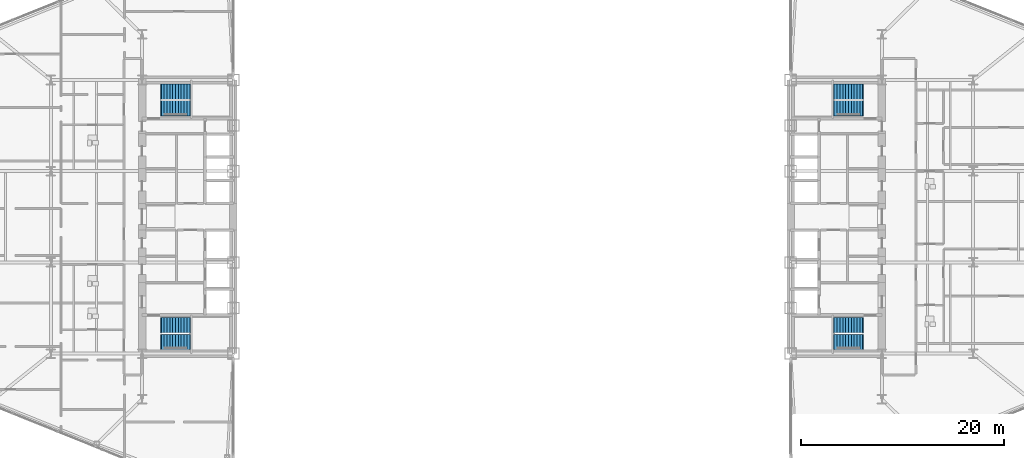
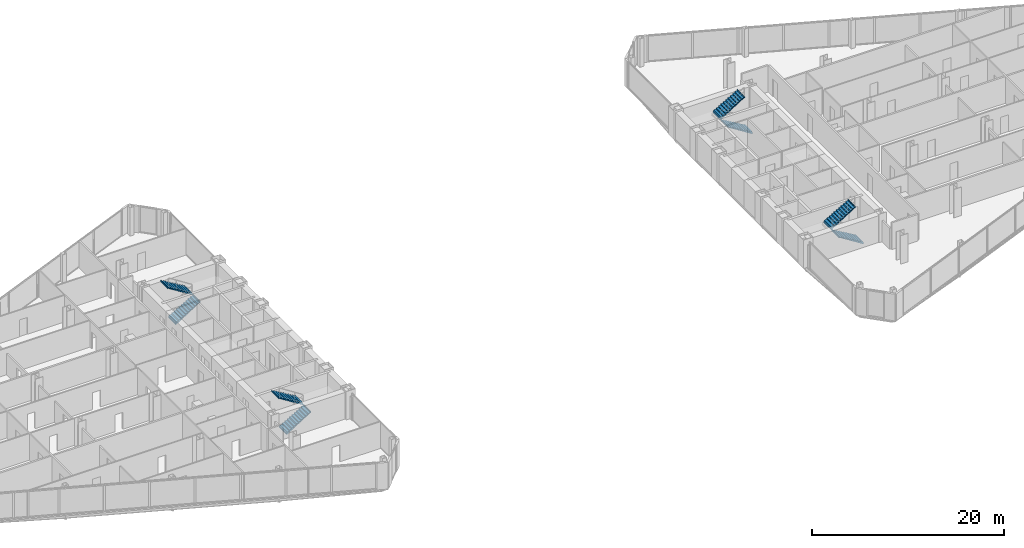
# One storey, part 23 of 25: 8 stair flights, 4 elements without a shape of their own.
"""IFC4 building model written with IfcOpenShell, lengths in metres."""

from ifc_helpers import new_model, si_unit, direction, frame, origin, place, context, subcontext, project, spatial, polyline, outline, extrude, material, type_object, element, aggregate, save


model = new_model("IFC4")

# Units and contexts
model_context = context("Model", 3, precision=1e-05, world=origin(), true_north=direction((0.0, 1.0)))
body_context = subcontext(model_context, "Body", "Model", "MODEL_VIEW")
ifc_project = project(units=[si_unit("LENGTHUNIT", "METRE"), si_unit("AREAUNIT", "SQUARE_METRE"), si_unit("VOLUMEUNIT", "CUBIC_METRE"), si_unit("PLANEANGLEUNIT", "RADIAN"), si_unit("MASSUNIT", "GRAM", prefix="KILO")], contexts=[model_context])

# Site, building, storey
site_placement = place(None, origin())
site = spatial("IfcSite", under=ifc_project, at=site_placement, CompositionType="ELEMENT")
building_placement = place(site_placement, origin())
building = spatial("IfcBuilding", under=site, at=building_placement, Name="Seokmaru Belvedere", CompositionType="ELEMENT")
storey_placement = place(building_placement, frame((0.0, 0.0, 51.300048828125)))
storey = spatial("IfcBuildingStorey", under=building, at=storey_placement, Name="L13", CompositionType="ELEMENT", Elevation=51.300048828125)

# Stair, stair flights
ifc_material = material(Name="Concrete C40 (40 MPa)", Category="concrete")
stair_type = type_object("IfcStairType", Name="Typical Tower Core Dog-Leg Stair 3600", PredefinedType="TWO_STRAIGHT_RUN_STAIR", material=ifc_material)
stair_1_placement = place(storey_placement, origin())
stair_1 = element("IfcStair", 1, at=stair_1_placement, inside=storey, type_object=stair_type, Name="L13 Special Escape Stair ST-W1", PredefinedType="TWO_STRAIGHT_RUN_STAIR")
stair_flight_type = type_object("IfcStairFlightType", Name="Reinforced Concrete Stair Flight 1500", PredefinedType="STRAIGHT", material=ifc_material)
stair_flight_1_placement = place(storey_placement, frame((-34.60009765625, -12.35009765625, 0.0), z_axis=(0.0, 0.0, 1.0), x_axis=(1.0, 0.0, 0.0)))
stair_flight_1 = element("IfcStairFlight", 2, at=stair_flight_1_placement, type_object=stair_flight_type, Name="ST-W1 flight 1", NumberOfRisers=11, NumberOfTreads=10, PredefinedType="STRAIGHT", RiserHeight=0.163636364, TreadLength=0.28, context=body_context, shape_type="SweptSolid", body=[
    extrude(outline(polyline([(-0.080078125, 0.0), (0.0, 0.16357421875), (0.280029296875, 0.16357421875), (0.280029296875, 0.327392578125), (0.56005859375, 0.327392578125), (0.56005859375, 0.490966796875), (0.840087890625, 0.490966796875), (0.840087890625, 0.654541015625), (1.1201171875, 0.654541015625), (1.1201171875, 0.818115234375), (1.39990234375, 0.818115234375), (1.39990234375, 0.98193359375), (1.679931640625, 0.98193359375), (1.679931640625, 1.1455078125), (1.9599609375, 1.1455078125), (1.9599609375, 1.30908203125), (2.239990234375, 1.30908203125), (2.239990234375, 1.47265625), (2.52001953125, 1.47265625), (2.52001953125, 1.636474609375), (2.800048828125, 1.636474609375), (2.800048828125, 1.800048828125), (2.8798828125, 1.800048828125), (2.8798828125, 1.610107421875), (2.800048828125, 1.610107421875), (0.0, -0.159912109375), (-0.080078125, -0.159912109375), (-0.080078125, 0.0)])), frame((0.0, 0.75, 0.0), z_axis=(0.0, -1.0, 0.0), x_axis=(1.0, 0.0, 0.0)), (0.0, 0.0, 1.0), 1.5),
])
stair_flight_2_placement = place(storey_placement, frame((-31.800048828125, -10.7099609375, 1.800048828125), z_axis=(0.0, 0.0, 1.0), x_axis=(-1.0, 0.0, 0.0)))
stair_flight_2 = element("IfcStairFlight", 3, at=stair_flight_2_placement, type_object=stair_flight_type, Name="ST-W1 flight 2", NumberOfRisers=11, NumberOfTreads=10, PredefinedType="STRAIGHT", RiserHeight=0.163636364, TreadLength=0.28, context=body_context, shape_type="SweptSolid", body=[
    extrude(outline(polyline([(-0.080078125, 0.0), (0.0, 0.16357421875), (0.280029296875, 0.16357421875), (0.280029296875, 0.327392578125), (0.56005859375, 0.327392578125), (0.56005859375, 0.490966796875), (0.840087890625, 0.490966796875), (0.840087890625, 0.654541015625), (1.1201171875, 0.654541015625), (1.1201171875, 0.818115234375), (1.39990234375, 0.818115234375), (1.39990234375, 0.98193359375), (1.679931640625, 0.98193359375), (1.679931640625, 1.1455078125), (1.9599609375, 1.1455078125), (1.9599609375, 1.30908203125), (2.239990234375, 1.30908203125), (2.239990234375, 1.47265625), (2.52001953125, 1.47265625), (2.52001953125, 1.636474609375), (2.800048828125, 1.636474609375), (2.800048828125, 1.800048828125), (2.8798828125, 1.800048828125), (2.8798828125, 1.610107421875), (2.800048828125, 1.610107421875), (0.0, -0.159912109375), (-0.080078125, -0.159912109375), (-0.080078125, 0.0)])), frame((0.0, 0.75, 0.0), z_axis=(0.0, -1.0, 0.0), x_axis=(1.0, 0.0, 0.0)), (0.0, 0.0, 1.0), 1.5),
])
aggregate(stair_1, [stair_flight_1, stair_flight_2])

stair_2_placement = place(storey_placement, origin())
stair_2 = element("IfcStair", 4, at=stair_2_placement, inside=storey, type_object=stair_type, Name="L13 Special Escape Stair ST-W2", PredefinedType="TWO_STRAIGHT_RUN_STAIR")
stair_flight_3_placement = place(storey_placement, frame((-34.60009765625, 10.7099609375, 0.0), z_axis=(0.0, 0.0, 1.0), x_axis=(1.0, 0.0, 0.0)))
stair_flight_3 = element("IfcStairFlight", 5, at=stair_flight_3_placement, type_object=stair_flight_type, Name="ST-W2 flight 1", NumberOfRisers=11, NumberOfTreads=10, PredefinedType="STRAIGHT", RiserHeight=0.163636364, TreadLength=0.28, context=body_context, shape_type="SweptSolid", body=[
    extrude(outline(polyline([(-0.080078125, 0.0), (0.0, 0.16357421875), (0.280029296875, 0.16357421875), (0.280029296875, 0.327392578125), (0.56005859375, 0.327392578125), (0.56005859375, 0.490966796875), (0.840087890625, 0.490966796875), (0.840087890625, 0.654541015625), (1.1201171875, 0.654541015625), (1.1201171875, 0.818115234375), (1.39990234375, 0.818115234375), (1.39990234375, 0.98193359375), (1.679931640625, 0.98193359375), (1.679931640625, 1.1455078125), (1.9599609375, 1.1455078125), (1.9599609375, 1.30908203125), (2.239990234375, 1.30908203125), (2.239990234375, 1.47265625), (2.52001953125, 1.47265625), (2.52001953125, 1.636474609375), (2.800048828125, 1.636474609375), (2.800048828125, 1.800048828125), (2.8798828125, 1.800048828125), (2.8798828125, 1.610107421875), (2.800048828125, 1.610107421875), (0.0, -0.159912109375), (-0.080078125, -0.159912109375), (-0.080078125, 0.0)])), frame((0.0, 0.75, 0.0), z_axis=(0.0, -1.0, 0.0), x_axis=(1.0, 0.0, 0.0)), (0.0, 0.0, 1.0), 1.5),
])
stair_flight_4_placement = place(storey_placement, frame((-31.800048828125, 12.35009765625, 1.800048828125), z_axis=(0.0, 0.0, 1.0), x_axis=(-1.0, 0.0, 0.0)))
stair_flight_4 = element("IfcStairFlight", 6, at=stair_flight_4_placement, type_object=stair_flight_type, Name="ST-W2 flight 2", NumberOfRisers=11, NumberOfTreads=10, PredefinedType="STRAIGHT", RiserHeight=0.163636364, TreadLength=0.28, context=body_context, shape_type="SweptSolid", body=[
    extrude(outline(polyline([(-0.080078125, 0.0), (0.0, 0.16357421875), (0.280029296875, 0.16357421875), (0.280029296875, 0.327392578125), (0.56005859375, 0.327392578125), (0.56005859375, 0.490966796875), (0.840087890625, 0.490966796875), (0.840087890625, 0.654541015625), (1.1201171875, 0.654541015625), (1.1201171875, 0.818115234375), (1.39990234375, 0.818115234375), (1.39990234375, 0.98193359375), (1.679931640625, 0.98193359375), (1.679931640625, 1.1455078125), (1.9599609375, 1.1455078125), (1.9599609375, 1.30908203125), (2.239990234375, 1.30908203125), (2.239990234375, 1.47265625), (2.52001953125, 1.47265625), (2.52001953125, 1.636474609375), (2.800048828125, 1.636474609375), (2.800048828125, 1.800048828125), (2.8798828125, 1.800048828125), (2.8798828125, 1.610107421875), (2.800048828125, 1.610107421875), (0.0, -0.159912109375), (-0.080078125, -0.159912109375), (-0.080078125, 0.0)])), frame((0.0, 0.75, 0.0), z_axis=(0.0, -1.0, 0.0), x_axis=(1.0, 0.0, 0.0)), (0.0, 0.0, 1.0), 1.5),
])
aggregate(stair_2, [stair_flight_3, stair_flight_4])

stair_3_placement = place(storey_placement, origin())
stair_3 = element("IfcStair", 7, at=stair_3_placement, inside=storey, type_object=stair_type, Name="L13 Special Escape Stair ST-E1", PredefinedType="TWO_STRAIGHT_RUN_STAIR")
stair_flight_5_placement = place(storey_placement, frame((34.60009765625, -12.35009765625, 0.0), z_axis=(0.0, 0.0, 1.0), x_axis=(-1.0, 0.0, 0.0)))
stair_flight_5 = element("IfcStairFlight", 8, at=stair_flight_5_placement, type_object=stair_flight_type, Name="ST-E1 flight 1", NumberOfRisers=11, NumberOfTreads=10, PredefinedType="STRAIGHT", RiserHeight=0.163636364, TreadLength=0.28, context=body_context, shape_type="SweptSolid", body=[
    extrude(outline(polyline([(-0.080078125, 0.0), (0.0, 0.16357421875), (0.280029296875, 0.16357421875), (0.280029296875, 0.327392578125), (0.56005859375, 0.327392578125), (0.56005859375, 0.490966796875), (0.840087890625, 0.490966796875), (0.840087890625, 0.654541015625), (1.1201171875, 0.654541015625), (1.1201171875, 0.818115234375), (1.39990234375, 0.818115234375), (1.39990234375, 0.98193359375), (1.679931640625, 0.98193359375), (1.679931640625, 1.1455078125), (1.9599609375, 1.1455078125), (1.9599609375, 1.30908203125), (2.239990234375, 1.30908203125), (2.239990234375, 1.47265625), (2.52001953125, 1.47265625), (2.52001953125, 1.636474609375), (2.800048828125, 1.636474609375), (2.800048828125, 1.800048828125), (2.8798828125, 1.800048828125), (2.8798828125, 1.610107421875), (2.800048828125, 1.610107421875), (0.0, -0.159912109375), (-0.080078125, -0.159912109375), (-0.080078125, 0.0)])), frame((0.0, 0.75, 0.0), z_axis=(0.0, -1.0, 0.0), x_axis=(1.0, 0.0, 0.0)), (0.0, 0.0, 1.0), 1.5),
])
stair_flight_6_placement = place(storey_placement, frame((31.800048828125, -10.7099609375, 1.800048828125), z_axis=(0.0, 0.0, 1.0), x_axis=(1.0, 0.0, 0.0)))
stair_flight_6 = element("IfcStairFlight", 9, at=stair_flight_6_placement, type_object=stair_flight_type, Name="ST-E1 flight 2", NumberOfRisers=11, NumberOfTreads=10, PredefinedType="STRAIGHT", RiserHeight=0.163636364, TreadLength=0.28, context=body_context, shape_type="SweptSolid", body=[
    extrude(outline(polyline([(-0.080078125, 0.0), (0.0, 0.16357421875), (0.280029296875, 0.16357421875), (0.280029296875, 0.327392578125), (0.56005859375, 0.327392578125), (0.56005859375, 0.490966796875), (0.840087890625, 0.490966796875), (0.840087890625, 0.654541015625), (1.1201171875, 0.654541015625), (1.1201171875, 0.818115234375), (1.39990234375, 0.818115234375), (1.39990234375, 0.98193359375), (1.679931640625, 0.98193359375), (1.679931640625, 1.1455078125), (1.9599609375, 1.1455078125), (1.9599609375, 1.30908203125), (2.239990234375, 1.30908203125), (2.239990234375, 1.47265625), (2.52001953125, 1.47265625), (2.52001953125, 1.636474609375), (2.800048828125, 1.636474609375), (2.800048828125, 1.800048828125), (2.8798828125, 1.800048828125), (2.8798828125, 1.610107421875), (2.800048828125, 1.610107421875), (0.0, -0.159912109375), (-0.080078125, -0.159912109375), (-0.080078125, 0.0)])), frame((0.0, 0.75, 0.0), z_axis=(0.0, -1.0, 0.0), x_axis=(1.0, 0.0, 0.0)), (0.0, 0.0, 1.0), 1.5),
])
aggregate(stair_3, [stair_flight_5, stair_flight_6])

stair_4_placement = place(storey_placement, origin())
stair_4 = element("IfcStair", 10, at=stair_4_placement, inside=storey, type_object=stair_type, Name="L13 Special Escape Stair ST-E2", PredefinedType="TWO_STRAIGHT_RUN_STAIR")
stair_flight_7_placement = place(storey_placement, frame((34.60009765625, 10.7099609375, 0.0), z_axis=(0.0, 0.0, 1.0), x_axis=(-1.0, 0.0, 0.0)))
stair_flight_7 = element("IfcStairFlight", 11, at=stair_flight_7_placement, type_object=stair_flight_type, Name="ST-E2 flight 1", NumberOfRisers=11, NumberOfTreads=10, PredefinedType="STRAIGHT", RiserHeight=0.163636364, TreadLength=0.28, context=body_context, shape_type="SweptSolid", body=[
    extrude(outline(polyline([(-0.080078125, 0.0), (0.0, 0.16357421875), (0.280029296875, 0.16357421875), (0.280029296875, 0.327392578125), (0.56005859375, 0.327392578125), (0.56005859375, 0.490966796875), (0.840087890625, 0.490966796875), (0.840087890625, 0.654541015625), (1.1201171875, 0.654541015625), (1.1201171875, 0.818115234375), (1.39990234375, 0.818115234375), (1.39990234375, 0.98193359375), (1.679931640625, 0.98193359375), (1.679931640625, 1.1455078125), (1.9599609375, 1.1455078125), (1.9599609375, 1.30908203125), (2.239990234375, 1.30908203125), (2.239990234375, 1.47265625), (2.52001953125, 1.47265625), (2.52001953125, 1.636474609375), (2.800048828125, 1.636474609375), (2.800048828125, 1.800048828125), (2.8798828125, 1.800048828125), (2.8798828125, 1.610107421875), (2.800048828125, 1.610107421875), (0.0, -0.159912109375), (-0.080078125, -0.159912109375), (-0.080078125, 0.0)])), frame((0.0, 0.75, 0.0), z_axis=(0.0, -1.0, 0.0), x_axis=(1.0, 0.0, 0.0)), (0.0, 0.0, 1.0), 1.5),
])
stair_flight_8_placement = place(storey_placement, frame((31.800048828125, 12.35009765625, 1.800048828125), z_axis=(0.0, 0.0, 1.0), x_axis=(1.0, 0.0, 0.0)))
stair_flight_8 = element("IfcStairFlight", 12, at=stair_flight_8_placement, type_object=stair_flight_type, Name="ST-E2 flight 2", NumberOfRisers=11, NumberOfTreads=10, PredefinedType="STRAIGHT", RiserHeight=0.163636364, TreadLength=0.28, context=body_context, shape_type="SweptSolid", body=[
    extrude(outline(polyline([(-0.080078125, 0.0), (0.0, 0.16357421875), (0.280029296875, 0.16357421875), (0.280029296875, 0.327392578125), (0.56005859375, 0.327392578125), (0.56005859375, 0.490966796875), (0.840087890625, 0.490966796875), (0.840087890625, 0.654541015625), (1.1201171875, 0.654541015625), (1.1201171875, 0.818115234375), (1.39990234375, 0.818115234375), (1.39990234375, 0.98193359375), (1.679931640625, 0.98193359375), (1.679931640625, 1.1455078125), (1.9599609375, 1.1455078125), (1.9599609375, 1.30908203125), (2.239990234375, 1.30908203125), (2.239990234375, 1.47265625), (2.52001953125, 1.47265625), (2.52001953125, 1.636474609375), (2.800048828125, 1.636474609375), (2.800048828125, 1.800048828125), (2.8798828125, 1.800048828125), (2.8798828125, 1.610107421875), (2.800048828125, 1.610107421875), (0.0, -0.159912109375), (-0.080078125, -0.159912109375), (-0.080078125, 0.0)])), frame((0.0, 0.75, 0.0), z_axis=(0.0, -1.0, 0.0), x_axis=(1.0, 0.0, 0.0)), (0.0, 0.0, 1.0), 1.5),
])
aggregate(stair_4, [stair_flight_7, stair_flight_8])

save(model, "model.ifc")
